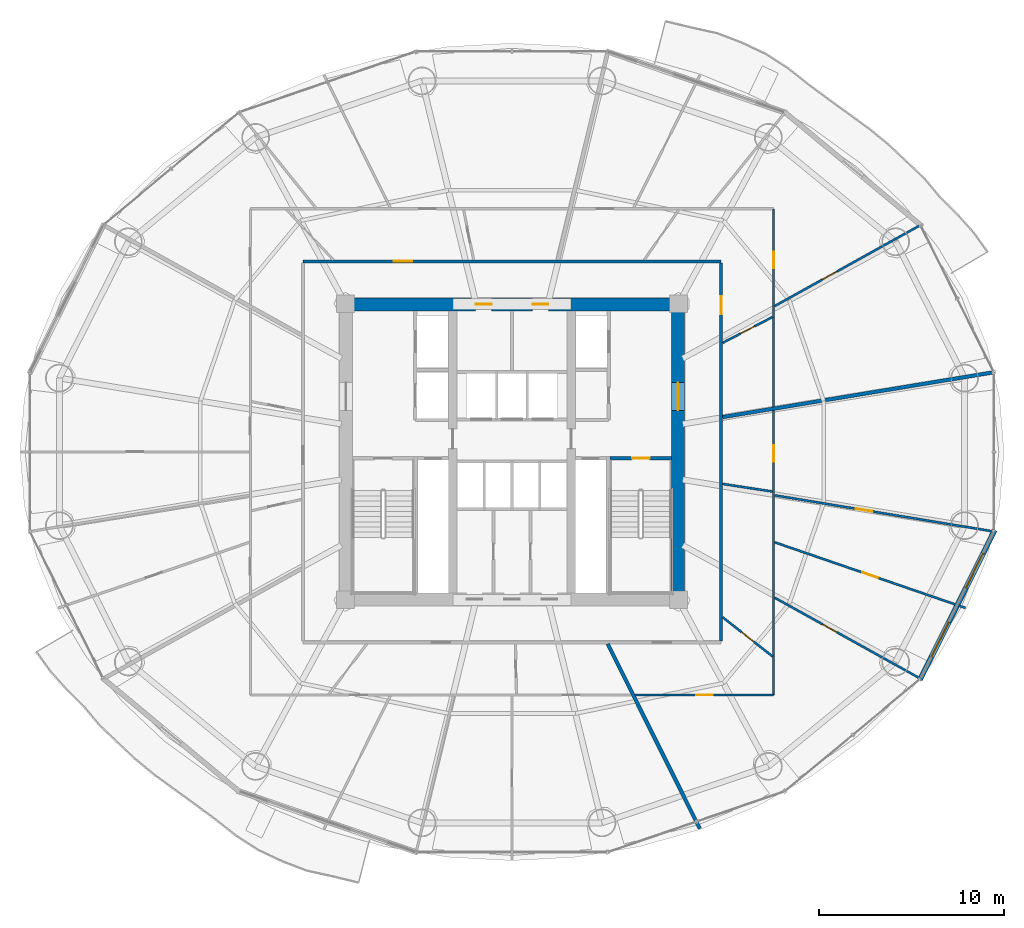
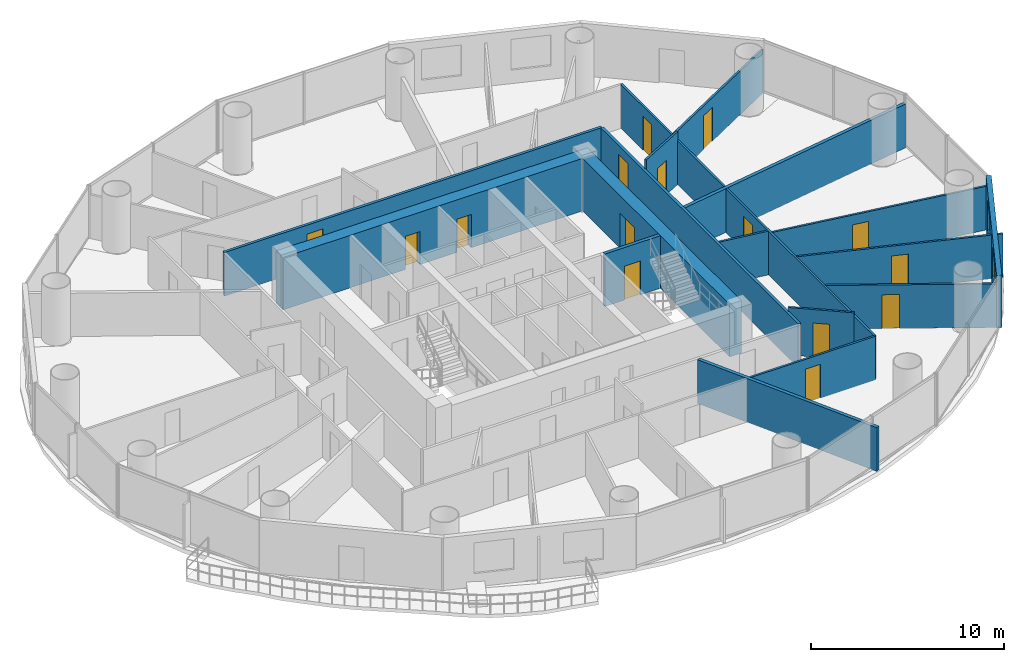
# One storey, part 23 of 28: 18 walls, 15 doors, 2 windows, 17 openings.
"""IFC4 building model written with IfcOpenShell, lengths in metres."""

from ifc_helpers import new_model, si_unit, direction, frame, frame_2d, origin, place, context, subcontext, project, spatial, rectangle, extrude, source, transform, mapped, material, layer, layer_set, type_object, element, fill, save


model = new_model("IFC4")

# Units and contexts
model_context = context("Model", 3, precision=1e-05, world=origin(), true_north=direction((-0.2419218956, 0.970295726276)))
body_context = subcontext(model_context, "Body", "Model", "MODEL_VIEW")
ifc_project = project(units=[si_unit("LENGTHUNIT", "METRE"), si_unit("AREAUNIT", "SQUARE_METRE"), si_unit("VOLUMEUNIT", "CUBIC_METRE"), si_unit("PLANEANGLEUNIT", "RADIAN"), si_unit("MASSUNIT", "GRAM", prefix="KILO")], contexts=[model_context])

# Site, building, storey
site_placement = place(None, origin())
site = spatial("IfcSite", under=ifc_project, at=site_placement, CompositionType="ELEMENT")
building_placement = place(site_placement, origin())
building = spatial("IfcBuilding", under=site, at=building_placement, Name="Cobrevalo Terracotta Tower", CompositionType="ELEMENT")
storey_placement = place(building_placement, frame((0.0, 0.0, 105.0)))
storey = spatial("IfcBuildingStorey", under=building, at=storey_placement, Name="L27", CompositionType="ELEMENT", Elevation=105.0)

# Wall, openings, doors
ifc_material_1 = material(Name="Concrete C60", Category="concrete")
ifc_layer_1 = layer(ifc_material_1, 0.699951171875)
ifc_layer_set_1 = layer_set([ifc_layer_1], Name="Concrete C60")
wall_type_1 = type_object("IfcWallType", Name="Core shear wall 700 mm Concrete C60", PredefinedType="SHEAR", material=ifc_layer_set_1)
wall_1_placement = place(storey_placement, frame((28.675048828125, 34.77490234375, 0.0), z_axis=(0.0, 0.0, 1.0), x_axis=(1.0, 0.0, 0.0)))
wall_1 = element("IfcWall", 1, at=wall_1_placement, inside=storey, type_object=wall_type_1, Name="L27 north core shear wall", PredefinedType="SHEAR", context=body_context, shape_type="SweptSolid", body=[
    extrude(rectangle(XDim=18.64990234375, YDim=0.699951171875, at=frame_2d((9.324951171875, 0.0))), origin(), (0.0, 0.0, 1.0), 3.324951171875),
])
opening_1_placement = place(wall_1_placement, frame((7.357421875, 0.0, 0.0)))
opening_1 = element("IfcOpeningElement", 2, at=opening_1_placement, cuts=wall_1, Name="Opening ID-07", PredefinedType="OPENING", context=body_context, shape_type="SweptSolid", body=[
    extrude(rectangle(XDim=0.860107421875, YDim=2.10009765625, at=frame_2d((0.43017578125, 1.050048828125))), frame((0.0, 0.35986328125, 0.0), z_axis=(0.0, -1.0, 0.0), x_axis=(1.0, 0.0, 0.0)), (0.0, 0.0, 1.0), 0.719970703125),
])
opening_2_placement = place(wall_1_placement, frame((10.4375, 0.0, 0.0)))
opening_2 = element("IfcOpeningElement", 3, at=opening_2_placement, cuts=wall_1, Name="Opening ID-22", PredefinedType="OPENING", context=body_context, shape_type="SweptSolid", body=[
    extrude(rectangle(XDim=0.85009765625, YDim=2.10009765625, at=frame_2d((0.425048828125, 1.050048828125))), frame((0.0, 0.35986328125, 0.0), z_axis=(0.0, -1.0, 0.0), x_axis=(1.0, 0.0, 0.0)), (0.0, 0.0, 1.0), 0.719970703125),
])
ifc_material_2 = material(Name="Powder-coated steel", Category="steel")
door_type_1 = type_object("IfcDoorType", Name="Riser shaft & meter closet fire access door 850x2100 EI 60", OperationType="NOTDEFINED", PredefinedType="DOOR", material=ifc_material_2)
shared_shape_1 = source(origin(), body_context, "Body", "SweptSolid", [
    extrude(rectangle(XDim=0.85009765625, YDim=2.10009765625, at=frame_2d((0.425048828125, 1.050048828125))), frame((0.0, 0.02490234375, 0.0), z_axis=(0.0, -1.0, 0.0), x_axis=(1.0, 0.0, 0.0)), (0.0, 0.0, 1.0), 0.050048828125),
])
door_1_placement = place(opening_2_placement, frame((0.85009765625, 0.0, 0.0), z_axis=(0.0, 0.0, 1.0), x_axis=(-1.0, 0.0, 0.0)))
door_1 = element("IfcDoor", 4, at=door_1_placement, inside=storey, type_object=door_type_1, Name="L27 core north service door Floor Telecom and Metering Plant", OperationType="SINGLE_SWING_RIGHT", OverallHeight=2.10009765625, OverallWidth=0.85009765625, PredefinedType="DOOR", context=body_context, shape_type="MappedRepresentation", body=[
    mapped(shared_shape_1, transform((0.0, 0.0, 0.0), scale=1.0)),
])
fill(opening_2, door_1)
ifc_material_3 = material(Name="Fire-rated moisture-sealed timber", Category="wood")
door_type_2 = type_object("IfcDoorType", Name="Core & podium fire-rated accessible WC door 860x2100 EI 60", OperationType="NOTDEFINED", PredefinedType="DOOR", material=ifc_material_3)
shared_shape_2 = source(origin(), body_context, "Body", "SweptSolid", [
    extrude(rectangle(XDim=0.860107421875, YDim=2.10009765625, at=frame_2d((0.43017578125, 1.050048828125))), frame((0.0, 0.02490234375, 0.0), z_axis=(0.0, -1.0, 0.0), x_axis=(1.0, 0.0, 0.0)), (0.0, 0.0, 1.0), 0.050048828125),
])
door_2_placement = place(opening_1_placement, frame((0.860107421875, 0.0, 0.0), z_axis=(0.0, 0.0, 1.0), x_axis=(-1.0, 0.0, 0.0)))
door_2 = element("IfcDoor", 5, at=door_2_placement, inside=storey, type_object=door_type_2, Name="L27 core north service door Core Accessible Toilet WC", OperationType="SINGLE_SWING_LEFT", OverallHeight=2.10009765625, OverallWidth=0.860107421875, PredefinedType="DOOR", context=body_context, shape_type="MappedRepresentation", body=[
    mapped(shared_shape_2, transform((0.0, 0.0, 0.0), scale=1.0)),
])
fill(opening_1, door_2)

# Wall, opening, door
wall_2_placement = place(storey_placement, frame((46.97509765625, 19.175048828125, 0.0), z_axis=(0.0, 0.0, 1.0), x_axis=(0.0, 1.0, 0.0)))
wall_2 = element("IfcWall", 6, at=wall_2_placement, inside=storey, type_object=wall_type_1, Name="L27 east core shear wall", PredefinedType="SHEAR", context=body_context, shape_type="SweptSolid", body=[
    extrude(rectangle(XDim=15.25, YDim=0.699951171875, at=frame_2d((7.625, 0.0))), origin(), (0.0, 0.0, 1.0), 3.324951171875),
])
opening_3_placement = place(wall_2_placement, frame((9.875, 0.0, 0.0)))
opening_3 = element("IfcOpeningElement", 7, at=opening_3_placement, cuts=wall_2, Name="Opening ID-14", PredefinedType="OPENING", context=body_context, shape_type="SweptSolid", body=[
    extrude(rectangle(XDim=1.5, YDim=2.199951171875, at=frame_2d((0.75, 1.10009765625))), frame((0.0, 0.35986328125, 0.0), z_axis=(0.0, -1.0, 0.0), x_axis=(1.0, 0.0, 0.0)), (0.0, 0.0, 1.0), 0.719970703125),
])
ifc_material_4 = material(Name="Galvanized fire-rated steel", Category="steel")
door_type_3 = type_object("IfcDoorType", Name="Core cross-lobby double fire door 1500x2200 EI 90", OperationType="NOTDEFINED", PredefinedType="DOOR", material=ifc_material_4)
shared_shape_3 = source(origin(), body_context, "Body", "SweptSolid", [
    extrude(rectangle(XDim=1.5, YDim=2.199951171875, at=frame_2d((0.75, 1.10009765625))), frame((0.0, 0.02490234375, 0.0), z_axis=(0.0, -1.0, 0.0), x_axis=(1.0, 0.0, 0.0)), (0.0, 0.0, 1.0), 0.050048828125),
])
door_3_placement = place(opening_3_placement, frame((1.5, 0.0, 0.0), z_axis=(0.0, 0.0, 1.0), x_axis=(-1.0, 0.0, 0.0)))
door_3 = element("IfcDoor", 8, at=door_3_placement, inside=storey, type_object=door_type_3, Name="L27 east firefighting lobby entrance door", OperationType="DOUBLE_DOOR_SINGLE_SWING", OverallHeight=2.199951171875, OverallWidth=1.5, PredefinedType="DOOR", context=body_context, shape_type="MappedRepresentation", body=[
    mapped(shared_shape_3, transform((0.0, 0.0, 0.0), scale=1.0)),
])
fill(opening_3, door_3)

ifc_material_5 = material(Name="Gypsum board on steel stud", Category="steel")
ifc_layer_2 = layer(ifc_material_5, 0.159912109375)
ifc_layer_set_2 = layer_set([ifc_layer_2], Name="Gypsum board on steel stud")
wall_type_2 = type_object("IfcWallType", Name="Fire-rated corridor acoustic partition wall 160 mm", PredefinedType="PARTITIONING", material=ifc_layer_set_2)
wall_3_placement = place(storey_placement, frame((26.695068359375, 37.10498046875, 0.0), z_axis=(0.0, 0.0, 1.0), x_axis=(1.0, 0.0, 0.0)))
wall_3 = element("IfcWall", 9, at=wall_3_placement, inside=storey, type_object=wall_type_2, Name="L27 interior partition IW-L27-COR-N", PredefinedType="PARTITIONING", context=body_context, shape_type="SweptSolid", body=[
    extrude(rectangle(XDim=22.60986328125, YDim=0.159912109375, at=frame_2d((11.304931640625, 0.0))), origin(), (0.0, 0.0, 1.0), 2.76708984375),
])
opening_4_placement = place(wall_3_placement, frame((4.925048828125, 0.0, 0.0)))
opening_4 = element("IfcOpeningElement", 10, at=opening_4_placement, cuts=wall_3, Name="Opening ID-05", PredefinedType="OPENING", context=body_context, shape_type="SweptSolid", body=[
    extrude(rectangle(XDim=0.97998046875, YDim=2.199951171875, at=frame_2d((0.489990234375, 1.10009765625))), frame((0.0, 0.08984375, 0.0), z_axis=(0.0, -1.0, 0.0), x_axis=(1.0, 0.0, 0.0)), (0.0, 0.0, 1.0), 0.179931640625),
])
ifc_material_6 = material(Name="Solid hardwood timber", Category="wood")
door_type_4 = type_object("IfcDoorType", Name="Residence entrance fire-rated acoustic timber door 980x2200 EI 60", OperationType="NOTDEFINED", PredefinedType="DOOR", material=ifc_material_6)
shared_shape_4 = source(origin(), body_context, "Body", "SweptSolid", [
    extrude(rectangle(XDim=0.97998046875, YDim=2.199951171875, at=frame_2d((0.489990234375, 1.10009765625))), frame((0.0, 0.02490234375, 0.0), z_axis=(0.0, -1.0, 0.0), x_axis=(1.0, 0.0, 0.0)), (0.0, 0.0, 1.0), 0.050048828125),
])
door_4_placement = place(opening_4_placement, origin())
door_4 = element("IfcDoor", 11, at=door_4_placement, inside=storey, type_object=door_type_4, Name="Flat L27B fire-rated apartment entrance door", OperationType="SINGLE_SWING_LEFT", OverallHeight=2.199951171875, OverallWidth=0.97998046875, PredefinedType="DOOR", context=body_context, shape_type="MappedRepresentation", body=[
    mapped(shared_shape_4, transform((0.0, 0.0, 0.0), scale=1.0)),
])
fill(opening_4, door_4)

wall_4_placement = place(storey_placement, frame((49.304931640625, 16.574951171875, 0.0), z_axis=(0.0, 0.0, 1.0), x_axis=(0.0, 1.0, 0.0)))
wall_4 = element("IfcWall", 12, at=wall_4_placement, inside=storey, type_object=wall_type_2, Name="L27 interior partition IW-L27-COR-E", PredefinedType="PARTITIONING", context=body_context, shape_type="SweptSolid", body=[
    extrude(rectangle(XDim=20.449951171875, YDim=0.159912109375, at=frame_2d((10.22509765625, 0.0))), origin(), (0.0, 0.0, 1.0), 2.76708984375),
])
opening_5_placement = place(wall_4_placement, frame((17.660400390625, 0.0, 0.0)))
opening_5 = element("IfcOpeningElement", 13, at=opening_5_placement, cuts=wall_4, Name="Opening ID-05", PredefinedType="OPENING", context=body_context, shape_type="SweptSolid", body=[
    extrude(rectangle(XDim=0.97998046875, YDim=2.199951171875, at=frame_2d((0.489990234375, 1.10009765625))), frame((0.0, 0.08984375, 0.0), z_axis=(0.0, -1.0, 0.0), x_axis=(1.0, 0.0, 0.0)), (0.0, 0.0, 1.0), 0.179931640625),
])
door_5_placement = place(opening_5_placement, frame((0.97998046875, 0.0, 0.0), z_axis=(0.0, 0.0, 1.0), x_axis=(-1.0, 0.0, 0.0)))
door_5 = element("IfcDoor", 14, at=door_5_placement, inside=storey, type_object=door_type_4, Name="Flat L27A fire-rated apartment entrance door", OperationType="SINGLE_SWING_RIGHT", OverallHeight=2.199951171875, OverallWidth=0.97998046875, PredefinedType="DOOR", context=body_context, shape_type="MappedRepresentation", body=[
    mapped(shared_shape_4, transform((0.0, 0.0, 0.0), scale=1.0)),
])
fill(opening_5, door_5)

# Walls
ifc_material_7 = material(Name="Autoclaved aerated concrete block", Category="concrete")
ifc_layer_3 = layer(ifc_material_7, 0.199951171875)
ifc_layer_set_3 = layer_set([ifc_layer_3], Name="Autoclaved aerated concrete block")
wall_type_3 = type_object("IfcWallType", Name="Fire-rated stair, shaft & demising masonry wall 200 mm", PredefinedType="PARTITIONING", material=ifc_layer_set_3)
wall_5_placement = place(storey_placement, frame((49.386962890625, 28.681884765625, 0.0), z_axis=(0.0, 0.0, 1.0), x_axis=(0.986617934215, 0.163049231479, 0.0)))
element("IfcWall", 15, at=wall_5_placement, inside=storey, type_object=wall_type_3, Name="L27 interior partition IW-L27-DEM-1", PredefinedType="PARTITIONING", context=body_context, shape_type="SweptSolid", body=[
    extrude(rectangle(XDim=14.78466796875, YDim=0.199951171875, at=frame_2d((7.392333984375, 0.0))), origin(), (0.0, 0.0, 1.0), 2.76708984375),
])
wall_6_placement = place(storey_placement, frame((43.177490234375, 16.4150390625, 0.0), z_axis=(0.0, 0.0, 1.0), x_axis=(0.446179591598, -0.894943446281, 0.0)))
element("IfcWall", 16, at=wall_6_placement, inside=storey, type_object=wall_type_3, Name="L27 interior partition IW-L27-DEM-5", PredefinedType="PARTITIONING", context=body_context, shape_type="SweptSolid", body=[
    extrude(rectangle(XDim=11.147705078125, YDim=0.199951171875, at=frame_2d((5.57373046875, 0.0))), origin(), (0.0, 0.0, 1.0), 2.76708984375),
])

# Wall, openings, windows
ifc_layer_4 = layer(ifc_material_7, 0.280029296875)
ifc_layer_set_4 = layer_set([ifc_layer_4], Name="Autoclaved aerated concrete block")
wall_type_4 = type_object("IfcWallType", Name="Insulated tower spandrel & pier wall 280 mm with terracotta rainscreen", PredefinedType="SOLIDWALL", material=ifc_layer_set_4)
wall_7_placement = place(storey_placement, frame((60.056396484375, 14.467041015625, 0.0), z_axis=(0.0, 0.0, 1.0), x_axis=(0.446274562077, 0.894896091869, 0.0)))
wall_7 = element("IfcWall", 17, at=wall_7_placement, inside=storey, type_object=wall_type_4, Name="L27 terracotta rainscreen pier wall S15", PredefinedType="SOLIDWALL", context=body_context, shape_type="SweptSolid", body=[
    extrude(rectangle(XDim=9.050048828125, YDim=0.280029296875, at=frame_2d((4.52490234375, 0.0))), origin(), (0.0, 0.0, 1.0), 3.324951171875),
])
opening_6_placement = place(wall_7_placement, frame((1.3935546875, 0.0, 0.85009765625)))
opening_6 = element("IfcOpeningElement", 18, at=opening_6_placement, cuts=wall_7, Name="Opening WN-10", PredefinedType="OPENING", context=body_context, shape_type="SweptSolid", body=[
    extrude(rectangle(XDim=2.10009765625, YDim=1.949951171875, at=frame_2d((1.050048828125, 0.97509765625))), frame((0.0, 0.14990234375, 0.0), z_axis=(0.0, -1.0, 0.0), x_axis=(1.0, 0.0, 0.0)), (0.0, 0.0, 1.0), 0.300048828125),
])
opening_7_placement = place(wall_7_placement, frame((5.556640625, 0.0, 0.85009765625)))
opening_7 = element("IfcOpeningElement", 19, at=opening_7_placement, cuts=wall_7, Name="Opening WN-10", PredefinedType="OPENING", context=body_context, shape_type="SweptSolid", body=[
    extrude(rectangle(XDim=2.10009765625, YDim=1.949951171875, at=frame_2d((1.050048828125, 0.97509765625))), frame((0.0, 0.14990234375, 0.0), z_axis=(0.0, -1.0, 0.0), x_axis=(1.0, 0.0, 0.0)), (0.0, 0.0, 1.0), 0.300048828125),
])
ifc_material_8 = material(Name="Solar-control low-E double glazing", Category="glass")
window_type = type_object("IfcWindowType", Name="Wide panoramic low-E aluminium window 2100x1950", PartitioningType="SINGLE_PANEL", PredefinedType="WINDOW", material=ifc_material_8)
shared_shape_5 = source(origin(), body_context, "Body", "SweptSolid", [
    extrude(rectangle(XDim=2.10009765625, YDim=1.949951171875, at=frame_2d((1.050048828125, 0.97509765625))), frame((0.0, 0.030029296875, 0.0), z_axis=(0.0, -1.0, 0.0), x_axis=(1.0, 0.0, 0.0)), (0.0, 0.0, 1.0), 0.06005859375),
])
window_1_placement = place(opening_6_placement, origin())
window_1 = element("IfcWindow", 20, at=window_1_placement, inside=storey, type_object=window_type, Name="L27 suite window S15A", OverallHeight=1.949951171875, OverallWidth=2.10009765625, PartitioningType="SINGLE_PANEL", PredefinedType="WINDOW", context=body_context, shape_type="MappedRepresentation", body=[
    mapped(shared_shape_5, transform((0.0, 0.0, 0.0), scale=1.0)),
])
fill(opening_6, window_1)
window_2_placement = place(opening_7_placement, origin())
window_2 = element("IfcWindow", 21, at=window_2_placement, inside=storey, type_object=window_type, Name="L27 suite window S15B", OverallHeight=1.949951171875, OverallWidth=2.10009765625, PartitioningType="SINGLE_PANEL", PredefinedType="WINDOW", context=body_context, shape_type="MappedRepresentation", body=[
    mapped(shared_shape_5, transform((0.0, 0.0, 0.0), scale=1.0)),
])
fill(opening_7, window_2)

# Wall, opening, door
ifc_layer_5 = layer(ifc_material_5, 0.1201171875)
ifc_layer_set_5 = layer_set([ifc_layer_5], Name="Gypsum board on steel stud")
wall_type_5 = type_object("IfcWallType", Name="Residential internal acoustic stud partition 120 mm", PredefinedType="PARTITIONING", material=ifc_layer_set_5)
wall_8_placement = place(storey_placement, frame((52.14501953125, 39.945068359375, 0.0), z_axis=(0.0, 0.0, 1.0), x_axis=(0.0, -1.0, 0.0)))
wall_8 = element("IfcWall", 22, at=wall_8_placement, inside=storey, type_object=wall_type_5, Name="L27 interior partition IW-L27-U1-RING1_0", PredefinedType="PARTITIONING", context=body_context, shape_type="SweptSolid", body=[
    extrude(rectangle(XDim=10.705322265625, YDim=0.1201171875, at=frame_2d((5.3525390625, 0.0))), origin(), (0.0, 0.0, 1.0), 2.76708984375),
])
opening_8_placement = place(wall_8_placement, frame((2.316162109375, 0.0, 0.0)))
opening_8 = element("IfcOpeningElement", 23, at=opening_8_placement, cuts=wall_8, Name="Opening ID-12", PredefinedType="OPENING", context=body_context, shape_type="SweptSolid", body=[
    extrude(rectangle(XDim=0.89990234375, YDim=2.14990234375, at=frame_2d((0.449951171875, 1.074951171875))), frame((0.0, 0.070068359375, 0.0), z_axis=(0.0, -1.0, 0.0), x_axis=(1.0, 0.0, 0.0)), (0.0, 0.0, 1.0), 0.14013671875),
])
ifc_material_9 = material(Name="Engineered timber", Category="wood")
door_type_5 = type_object("IfcDoorType", Name="Internal residence & suite timber door 900x2150", OperationType="NOTDEFINED", PredefinedType="DOOR", material=ifc_material_9)
shared_shape_6 = source(origin(), body_context, "Body", "SweptSolid", [
    extrude(rectangle(XDim=0.89990234375, YDim=2.14990234375, at=frame_2d((0.449951171875, 1.074951171875))), frame((0.0, 0.02490234375, 0.0), z_axis=(0.0, -1.0, 0.0), x_axis=(1.0, 0.0, 0.0)), (0.0, 0.0, 1.0), 0.050048828125),
])
door_6_placement = place(opening_8_placement, origin())
door_6 = element("IfcDoor", 24, at=door_6_placement, inside=storey, type_object=door_type_5, Name="Flat L27A Master Bedroom internal door", OperationType="SINGLE_SWING_RIGHT", OverallHeight=2.14990234375, OverallWidth=0.89990234375, PredefinedType="DOOR", context=body_context, shape_type="MappedRepresentation", body=[
    mapped(shared_shape_6, transform((0.0, 0.0, 0.0), scale=1.0)),
])
fill(opening_8, door_6)

wall_9_placement = place(storey_placement, frame((52.19921875, 34.6826171875, 0.0), z_axis=(0.0, 0.0, 1.0), x_axis=(0.874320827228, 0.485348422349, 0.0)))
wall_9 = element("IfcWall", 25, at=wall_9_placement, inside=storey, type_object=wall_type_5, Name="L27 interior partition IW-L27-U1-ORAD1", PredefinedType="PARTITIONING", context=body_context, shape_type="SweptSolid", body=[
    extrude(rectangle(XDim=8.939697265625, YDim=0.1201171875, at=frame_2d((4.4697265625, 0.0))), origin(), (0.0, 0.0, 1.0), 2.76708984375),
])
opening_9_placement = place(wall_9_placement, frame((2.95263671875, 0.0, 0.0)))
opening_9 = element("IfcOpeningElement", 26, at=opening_9_placement, cuts=wall_9, Name="Opening ID-12", PredefinedType="OPENING", context=body_context, shape_type="SweptSolid", body=[
    extrude(rectangle(XDim=0.89990234375, YDim=2.14990234375, at=frame_2d((0.449951171875, 1.074951171875))), frame((0.0, 0.070068359375, 0.0), z_axis=(0.0, -1.0, 0.0), x_axis=(1.0, 0.0, 0.0)), (0.0, 0.0, 1.0), 0.14013671875),
])
door_7_placement = place(opening_9_placement, frame((0.89990234375, 0.0, 0.0), z_axis=(0.0, 0.0, 1.0), x_axis=(-1.0, 0.0, 0.0)))
door_7 = element("IfcDoor", 27, at=door_7_placement, inside=storey, type_object=door_type_5, Name="Flat L27A Living and Dining Room internal door", OperationType="SINGLE_SWING_RIGHT", OverallHeight=2.14990234375, OverallWidth=0.89990234375, PredefinedType="DOOR", context=body_context, shape_type="MappedRepresentation", body=[
    mapped(shared_shape_6, transform((0.0, 0.0, 0.0), scale=1.0)),
])
fill(opening_9, door_7)

wall_10_placement = place(storey_placement, frame((49.38671875, 32.695068359375, 0.0), z_axis=(0.0, 0.0, 1.0), x_axis=(0.888050549489, 0.459745822767, 0.0)))
wall_10 = element("IfcWall", 28, at=wall_10_placement, inside=storey, type_object=wall_type_5, Name="L27 interior partition IW-L27-U1-IRAD1", PredefinedType="PARTITIONING", context=body_context, shape_type="SweptSolid", body=[
    extrude(rectangle(XDim=3.0439453125, YDim=0.1201171875, at=frame_2d((1.52197265625, 0.0))), origin(), (0.0, 0.0, 1.0), 3.324951171875),
])
opening_10_placement = place(wall_10_placement, frame((1.092041015625, 0.0, 0.0)))
opening_10 = element("IfcOpeningElement", 29, at=opening_10_placement, cuts=wall_10, Name="Opening ID-19", PredefinedType="OPENING", context=body_context, shape_type="SweptSolid", body=[
    extrude(rectangle(XDim=0.860107421875, YDim=2.14990234375, at=frame_2d((0.43017578125, 1.074951171875))), frame((0.0, 0.070068359375, 0.0), z_axis=(0.0, -1.0, 0.0), x_axis=(1.0, 0.0, 0.0)), (0.0, 0.0, 1.0), 0.14013671875),
])
ifc_material_10 = material(Name="Moisture-sealed timber", Category="wood")
door_type_6 = type_object("IfcDoorType", Name="Suite bathroom internal timber door 860x2150", OperationType="NOTDEFINED", PredefinedType="DOOR", material=ifc_material_10)
shared_shape_7 = source(origin(), body_context, "Body", "SweptSolid", [
    extrude(rectangle(XDim=0.860107421875, YDim=2.14990234375, at=frame_2d((0.43017578125, 1.074951171875))), frame((0.0, 0.02490234375, 0.0), z_axis=(0.0, -1.0, 0.0), x_axis=(1.0, 0.0, 0.0)), (0.0, 0.0, 1.0), 0.050048828125),
])
door_8_placement = place(opening_10_placement, frame((0.860107421875, 0.0, 0.0), z_axis=(0.0, 0.0, 1.0), x_axis=(-1.0, 0.0, 0.0)))
door_8 = element("IfcDoor", 30, at=door_8_placement, inside=storey, type_object=door_type_6, Name="Flat L27A Primary Bathroom internal door", OperationType="SINGLE_SWING_LEFT", OverallHeight=2.14990234375, OverallWidth=0.860107421875, PredefinedType="DOOR", context=body_context, shape_type="MappedRepresentation", body=[
    mapped(shared_shape_7, transform((0.0, 0.0, 0.0), scale=1.0)),
])
fill(opening_10, door_8)

wall_11_placement = place(storey_placement, frame((52.14501953125, 29.03564453125, 0.0), z_axis=(0.0, 0.0, 1.0), x_axis=(0.0, -1.0, 0.0)))
wall_11 = element("IfcWall", 31, at=wall_11_placement, inside=storey, type_object=wall_type_5, Name="L27 interior partition IW-L27-U5-RING0_0", PredefinedType="PARTITIONING", context=body_context, shape_type="SweptSolid", body=[
    extrude(rectangle(XDim=15.380615234375, YDim=0.1201171875, at=frame_2d((7.6904296875, 0.0))), origin(), (0.0, 0.0, 1.0), 2.76708984375),
])
opening_11_placement = place(wall_11_placement, frame((1.864013671875, 0.0, 0.0)))
opening_11 = element("IfcOpeningElement", 32, at=opening_11_placement, cuts=wall_11, Name="Opening ID-12", PredefinedType="OPENING", context=body_context, shape_type="SweptSolid", body=[
    extrude(rectangle(XDim=0.89990234375, YDim=2.14990234375, at=frame_2d((0.449951171875, 1.074951171875))), frame((0.0, 0.070068359375, 0.0), z_axis=(0.0, -1.0, 0.0), x_axis=(1.0, 0.0, 0.0)), (0.0, 0.0, 1.0), 0.14013671875),
])
door_9_placement = place(opening_11_placement, frame((0.89990234375, 0.0, 0.0), z_axis=(0.0, 0.0, 1.0), x_axis=(-1.0, 0.0, 0.0)))
door_9 = element("IfcDoor", 33, at=door_9_placement, inside=storey, type_object=door_type_5, Name="Flat L27E Kitchen internal door", OperationType="SINGLE_SWING_LEFT", OverallHeight=2.14990234375, OverallWidth=0.89990234375, PredefinedType="DOOR", context=body_context, shape_type="MappedRepresentation", body=[
    mapped(shared_shape_6, transform((0.0, 0.0, 0.0), scale=1.0)),
])
fill(opening_11, door_9)

wall_12_placement = place(storey_placement, frame((52.14501953125, 13.655029296875, 0.0), z_axis=(0.0, 0.0, 1.0), x_axis=(-1.0, 0.0, 0.0)))
wall_12 = element("IfcWall", 34, at=wall_12_placement, inside=storey, type_object=wall_type_5, Name="L27 interior partition IW-L27-U5-RING1_0", PredefinedType="PARTITIONING", context=body_context, shape_type="SweptSolid", body=[
    extrude(rectangle(XDim=7.489501953125, YDim=0.1201171875, at=frame_2d((3.74462890625, 0.0))), origin(), (0.0, 0.0, 1.0), 2.76708984375),
])
opening_12_placement = place(wall_12_placement, frame((3.294677734375, 0.0, 0.0)))
opening_12 = element("IfcOpeningElement", 35, at=opening_12_placement, cuts=wall_12, Name="Opening ID-12", PredefinedType="OPENING", context=body_context, shape_type="SweptSolid", body=[
    extrude(rectangle(XDim=0.89990234375, YDim=2.14990234375, at=frame_2d((0.449951171875, 1.074951171875))), frame((0.0, 0.070068359375, 0.0), z_axis=(0.0, -1.0, 0.0), x_axis=(1.0, 0.0, 0.0)), (0.0, 0.0, 1.0), 0.14013671875),
])
door_10_placement = place(opening_12_placement, origin())
door_10 = element("IfcDoor", 36, at=door_10_placement, inside=storey, type_object=door_type_5, Name="Flat L27E Living and Dining Room internal door", OperationType="SINGLE_SWING_LEFT", OverallHeight=2.14990234375, OverallWidth=0.89990234375, PredefinedType="DOOR", context=body_context, shape_type="MappedRepresentation", body=[
    mapped(shared_shape_6, transform((0.0, 0.0, 0.0), scale=1.0)),
])
fill(opening_12, door_10)

wall_13_placement = place(storey_placement, frame((52.19921875, 18.91748046875, 0.0), z_axis=(0.0, 0.0, 1.0), x_axis=(0.874309238244, -0.485369298495, 0.0)))
wall_13 = element("IfcWall", 37, at=wall_13_placement, inside=storey, type_object=wall_type_5, Name="L27 interior partition IW-L27-U5-ORAD1", PredefinedType="PARTITIONING", context=body_context, shape_type="SweptSolid", body=[
    extrude(rectangle(XDim=8.939697265625, YDim=0.1201171875, at=frame_2d((4.4697265625, 0.0))), origin(), (0.0, 0.0, 1.0), 2.76708984375),
])
opening_13_placement = place(wall_13_placement, frame((2.95263671875, 0.0, 0.0)))
opening_13 = element("IfcOpeningElement", 38, at=opening_13_placement, cuts=wall_13, Name="Opening ID-12", PredefinedType="OPENING", context=body_context, shape_type="SweptSolid", body=[
    extrude(rectangle(XDim=0.89990234375, YDim=2.14990234375, at=frame_2d((0.449951171875, 1.074951171875))), frame((0.0, 0.070068359375, 0.0), z_axis=(0.0, -1.0, 0.0), x_axis=(1.0, 0.0, 0.0)), (0.0, 0.0, 1.0), 0.14013671875),
])
door_11_placement = place(opening_13_placement, origin())
door_11 = element("IfcDoor", 39, at=door_11_placement, inside=storey, type_object=door_type_5, Name="Flat L27E Master Bedroom internal door", OperationType="SINGLE_SWING_RIGHT", OverallHeight=2.14990234375, OverallWidth=0.89990234375, PredefinedType="DOOR", context=body_context, shape_type="MappedRepresentation", body=[
    mapped(shared_shape_6, transform((0.0, 0.0, 0.0), scale=1.0)),
])
fill(opening_13, door_11)

wall_14_placement = place(storey_placement, frame((52.20361328125, 21.911865234375, 0.0), z_axis=(0.0, 0.0, 1.0), x_axis=(0.945574063861, -0.325406960209, 0.0)))
wall_14 = element("IfcWall", 40, at=wall_14_placement, inside=storey, type_object=wall_type_5, Name="L27 interior partition IW-L27-U5-ORAD2M1", PredefinedType="PARTITIONING", context=body_context, shape_type="SweptSolid", body=[
    extrude(rectangle(XDim=10.90576171875, YDim=0.1201171875, at=frame_2d((5.452880859375, 0.0))), origin(), (0.0, 0.0, 1.0), 2.76708984375),
])
opening_14_placement = place(wall_14_placement, frame((5.0029296875, 0.0, 0.0)))
opening_14 = element("IfcOpeningElement", 41, at=opening_14_placement, cuts=wall_14, Name="Opening ID-12", PredefinedType="OPENING", context=body_context, shape_type="SweptSolid", body=[
    extrude(rectangle(XDim=0.89990234375, YDim=2.14990234375, at=frame_2d((0.449951171875, 1.074951171875))), frame((0.0, 0.070068359375, 0.0), z_axis=(0.0, -1.0, 0.0), x_axis=(1.0, 0.0, 0.0)), (0.0, 0.0, 1.0), 0.14013671875),
])
door_12_placement = place(opening_14_placement, origin())
door_12 = element("IfcDoor", 42, at=door_12_placement, inside=storey, type_object=door_type_5, Name="Flat L27E Principal Guest Bedroom internal door", OperationType="SINGLE_SWING_LEFT", OverallHeight=2.14990234375, OverallWidth=0.89990234375, PredefinedType="DOOR", context=body_context, shape_type="MappedRepresentation", body=[
    mapped(shared_shape_6, transform((0.0, 0.0, 0.0), scale=1.0)),
])
fill(opening_14, door_12)

wall_15_placement = place(storey_placement, frame((52.2060546875, 24.4521484375, 0.0), z_axis=(0.0, 0.0, 1.0), x_axis=(0.986620350945, -0.163034607068, 0.0)))
wall_15 = element("IfcWall", 43, at=wall_15_placement, inside=storey, type_object=wall_type_5, Name="L27 interior partition IW-L27-U5-ORAD2", PredefinedType="PARTITIONING", context=body_context, shape_type="SweptSolid", body=[
    extrude(rectangle(XDim=11.927490234375, YDim=0.1201171875, at=frame_2d((5.9638671875, 0.0))), origin(), (0.0, 0.0, 1.0), 2.76708984375),
])
opening_15_placement = place(wall_15_placement, frame((4.440185546875, 0.0, 0.0)))
opening_15 = element("IfcOpeningElement", 44, at=opening_15_placement, cuts=wall_15, Name="Opening ID-12", PredefinedType="OPENING", context=body_context, shape_type="SweptSolid", body=[
    extrude(rectangle(XDim=0.89990234375, YDim=2.14990234375, at=frame_2d((0.449951171875, 1.074951171875))), frame((0.0, 0.070068359375, 0.0), z_axis=(0.0, -1.0, 0.0), x_axis=(1.0, 0.0, 0.0)), (0.0, 0.0, 1.0), 0.14013671875),
])
door_13_placement = place(opening_15_placement, origin())
door_13 = element("IfcDoor", 45, at=door_13_placement, inside=storey, type_object=door_type_5, Name="Flat L27E Penthouse Family Lounge internal door", OperationType="SINGLE_SWING_RIGHT", OverallHeight=2.14990234375, OverallWidth=0.89990234375, PredefinedType="DOOR", context=body_context, shape_type="MappedRepresentation", body=[
    mapped(shared_shape_6, transform((0.0, 0.0, 0.0), scale=1.0)),
])
fill(opening_15, door_13)

wall_16_placement = place(storey_placement, frame((49.386474609375, 17.861328125, 0.0), z_axis=(0.0, 0.0, 1.0), x_axis=(0.786615823421, -0.617442747422, 0.0)))
wall_16 = element("IfcWall", 46, at=wall_16_placement, inside=storey, type_object=wall_type_5, Name="L27 interior partition IW-L27-U5-IRAD1", PredefinedType="PARTITIONING", context=body_context, shape_type="SweptSolid", body=[
    extrude(rectangle(XDim=3.44482421875, YDim=0.1201171875, at=frame_2d((1.722412109375, 0.0))), origin(), (0.0, 0.0, 1.0), 3.00390625),
])
opening_16_placement = place(wall_16_placement, frame((1.29248046875, 0.0, 0.0)))
opening_16 = element("IfcOpeningElement", 47, at=opening_16_placement, cuts=wall_16, Name="Opening ID-19", PredefinedType="OPENING", context=body_context, shape_type="SweptSolid", body=[
    extrude(rectangle(XDim=0.860107421875, YDim=2.14990234375, at=frame_2d((0.43017578125, 1.074951171875))), frame((0.0, 0.070068359375, 0.0), z_axis=(0.0, -1.0, 0.0), x_axis=(1.0, 0.0, 0.0)), (0.0, 0.0, 1.0), 0.14013671875),
])
door_14_placement = place(opening_16_placement, origin())
door_14 = element("IfcDoor", 48, at=door_14_placement, inside=storey, type_object=door_type_6, Name="Flat L27E Primary Bathroom internal door", OperationType="SINGLE_SWING_RIGHT", OverallHeight=2.14990234375, OverallWidth=0.860107421875, PredefinedType="DOOR", context=body_context, shape_type="MappedRepresentation", body=[
    mapped(shared_shape_7, transform((0.0, 0.0, 0.0), scale=1.0)),
])
fill(opening_16, door_14)

# Wall
wall_17_placement = place(storey_placement, frame((49.386962890625, 25.0673828125, 0.0), z_axis=(0.0, 0.0, 1.0), x_axis=(0.988617679804, -0.150449603454, 0.0)))
element("IfcWall", 49, at=wall_17_placement, inside=storey, type_object=wall_type_5, Name="L27 interior partition IW-L27-U5-IRAD2", PredefinedType="PARTITIONING", context=body_context, shape_type="SweptSolid", body=[
    extrude(rectangle(XDim=2.727783203125, YDim=0.1201171875, at=frame_2d((1.36376953125, 0.0))), origin(), (0.0, 0.0, 1.0), 2.76708984375),
])

# Wall, opening, door
ifc_material_11 = material(Name="Concrete C50", Category="concrete")
ifc_layer_6 = layer(ifc_material_11, 0.199951171875)
ifc_layer_set_6 = layer_set([ifc_layer_6], Name="Concrete C50")
wall_type_6 = type_object("IfcWallType", Name="Structural core & podium stair-shaft RC wall 200 mm Concrete C50", PredefinedType="SOLIDWALL", material=ifc_layer_set_6)
wall_18_placement = place(storey_placement, frame((43.304931640625, 26.449951171875, 0.0), z_axis=(0.0, 0.0, 1.0), x_axis=(1.0, 0.0, 0.0)))
wall_18 = element("IfcWall", 50, at=wall_18_placement, inside=storey, type_object=wall_type_6, Name="L27 ST-2 north structural shaft wall", PredefinedType="SOLIDWALL", context=body_context, shape_type="SweptSolid", body=[
    extrude(rectangle(XDim=3.320068359375, YDim=0.199951171875, at=frame_2d((1.66015625, 0.0))), origin(), (0.0, 0.0, 1.0), 3.324951171875),
])
opening_17_placement = place(wall_18_placement, frame((1.18505859375, 0.0, 0.0)))
opening_17 = element("IfcOpeningElement", 51, at=opening_17_placement, cuts=wall_18, Name="Opening ID-04", PredefinedType="OPENING", context=body_context, shape_type="SweptSolid", body=[
    extrude(rectangle(XDim=0.949951171875, YDim=2.14990234375, at=frame_2d((0.47509765625, 1.074951171875))), frame((0.0, 0.10986328125, 0.0), z_axis=(0.0, -1.0, 0.0), x_axis=(1.0, 0.0, 0.0)), (0.0, 0.0, 1.0), 0.219970703125),
])
door_type_7 = type_object("IfcDoorType", Name="Stair & firefighting lobby fire door 950x2150 EI 90", OperationType="NOTDEFINED", PredefinedType="DOOR", material=ifc_material_4)
shared_shape_8 = source(origin(), body_context, "Body", "SweptSolid", [
    extrude(rectangle(XDim=0.949951171875, YDim=2.14990234375, at=frame_2d((0.47509765625, 1.074951171875))), frame((0.0, 0.02490234375, 0.0), z_axis=(0.0, -1.0, 0.0), x_axis=(1.0, 0.0, 0.0)), (0.0, 0.0, 1.0), 0.050048828125),
])
door_15_placement = place(opening_17_placement, frame((0.949951171875, 0.0, 0.0), z_axis=(0.0, 0.0, 1.0), x_axis=(-1.0, 0.0, 0.0)))
door_15 = element("IfcDoor", 52, at=door_15_placement, inside=storey, type_object=door_type_7, Name="L27 protected stair ST2 fire door", OperationType="SINGLE_SWING_RIGHT", OverallHeight=2.14990234375, OverallWidth=0.949951171875, PredefinedType="DOOR", context=body_context, shape_type="MappedRepresentation", body=[
    mapped(shared_shape_8, transform((0.0, 0.0, 0.0), scale=1.0)),
])
fill(opening_17, door_15)

save(model, "model.ifc")
